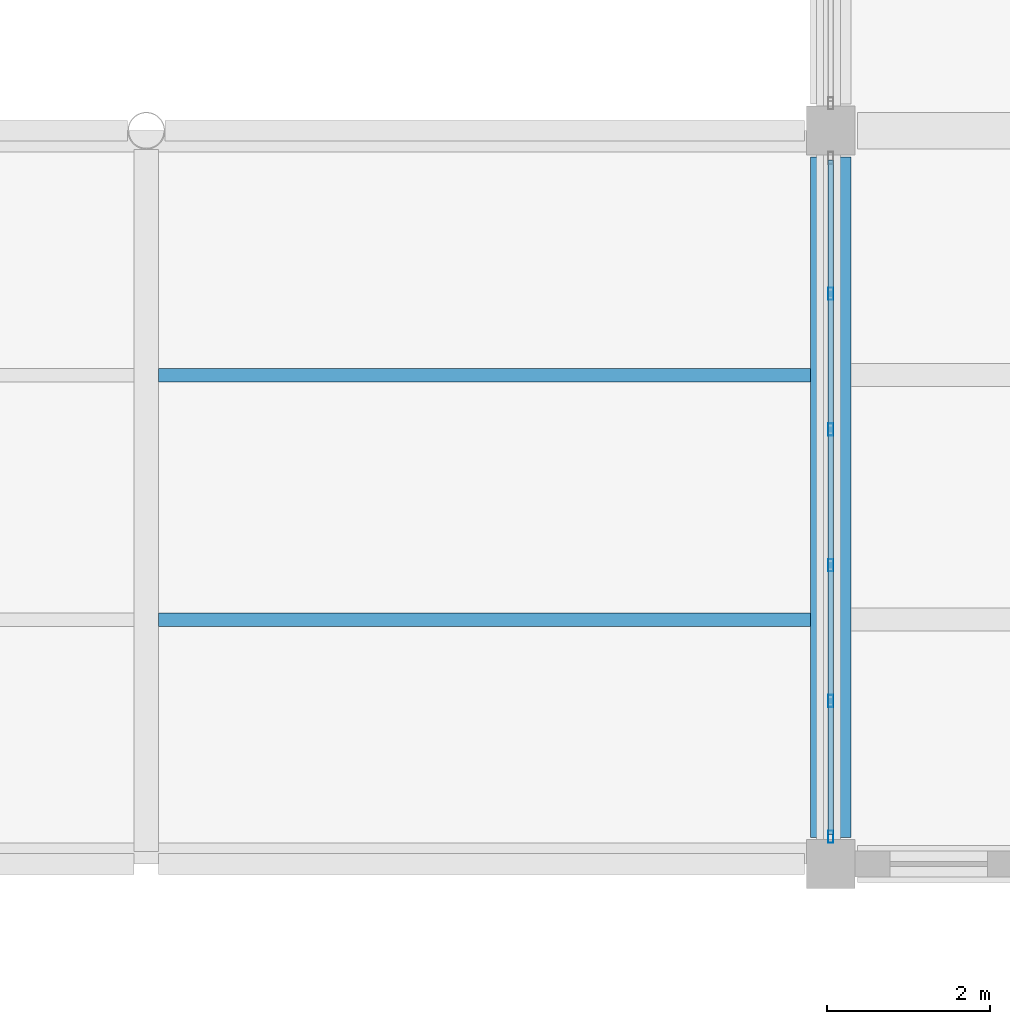
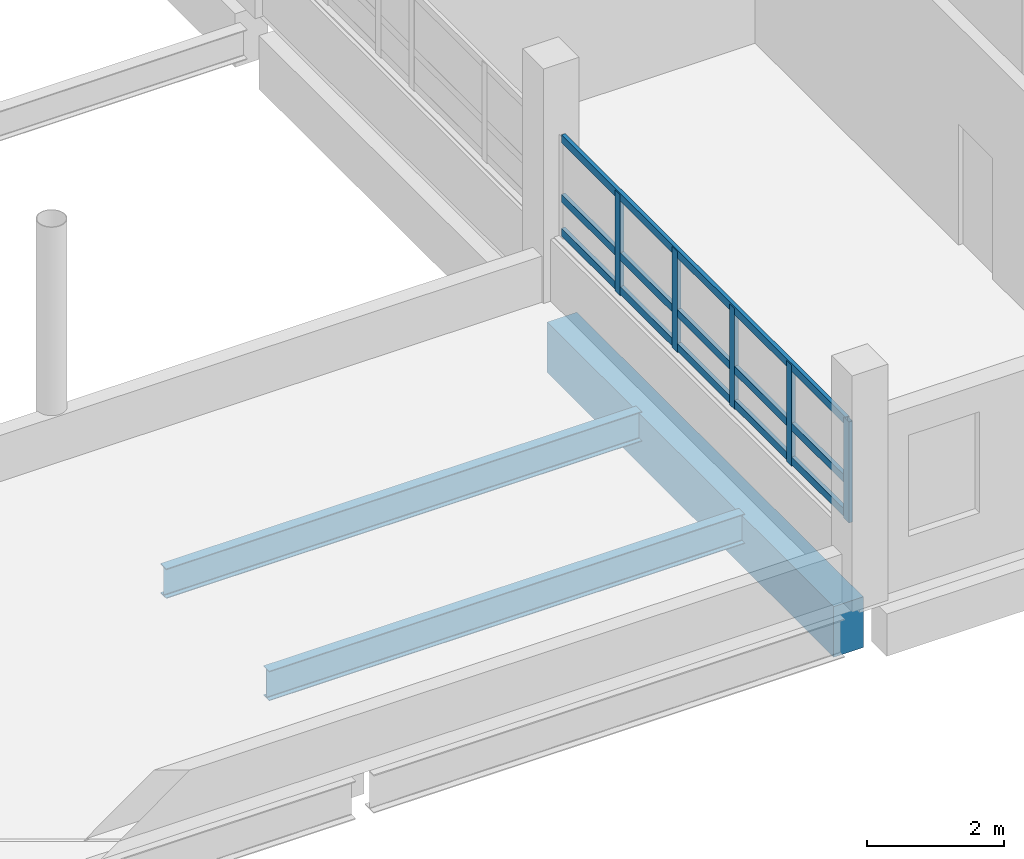
# One storey, part 23 of 130: 8 members, 3 beams, 1 element without a shape of its own.
"""IFC4 building model written with IfcOpenShell, lengths in metres."""

import ifcopenshell
import ifcopenshell.guid

model = None  # the IFC model being written
_history = None  # IfcOwnerHistory: only IFC2X3 demands one
_inside = {}  # id of a spatial element -> (the spatial element, [elements in it])
_under = {}  # id of a project, library or spatial element -> (it, [spatial elements below it])
_declared = {}  # id of a project -> (the project, [libraries it declares])
_typed = {}  # id of a type object -> (the type object, [elements of that type])
_made_of = {}  # id of a material, layer set ... -> (it, [elements and type objects made of it])


def new_model(schema):
    """Start an empty IFC model of exactly this schema.

    Asked for "IFC4X3", IfcOpenShell would pick the latest addendum, in which some entities
    have other attributes; the version numbers below select the first issue.
    IFC2X3 requires an IfcOwnerHistory on every rooted entity: one is made here for all.
    """
    global model, _history
    if schema == "IFC4X3":
        model = ifcopenshell.file(schema_version=(4, 3, 0, 0))
    else:
        model = ifcopenshell.file(schema=schema)
    _inside.clear()
    _under.clear()
    _declared.clear()
    _typed.clear()
    _made_of.clear()
    _history = None
    if model.schema == "IFC2X3":
        org = make("IfcOrganization", Name="unknown")
        user = make(
            "IfcPersonAndOrganization",
            ThePerson=make("IfcPerson", FamilyName="unknown"),
            TheOrganization=org,
        )
        app = make(
            "IfcApplication",
            ApplicationDeveloper=org,
            Version="unknown",
            ApplicationFullName="unknown",
            ApplicationIdentifier="unknown",
        )
        _history = make(
            "IfcOwnerHistory",
            OwningUser=user,
            OwningApplication=app,
            ChangeAction="ADDED",
            CreationDate=0,
        )
    return model


def make(cls, **values):
    """One entity of the class cls with the attributes given. An attribute that is None is left unset."""
    return model.create_entity(
        cls, **{name: value for name, value in values.items() if value is not None}
    )


def rooted(cls, **values):
    """An entity with a GlobalId (a new one), such as an element, a storey or a relation."""
    return make(cls, GlobalId=ifcopenshell.guid.new(), OwnerHistory=_history, **values)


def si_unit(unit_type, name, prefix=None):
    """IfcSIUnit, for example si_unit("LENGTHUNIT", "METRE", prefix="MILLI")."""
    return make("IfcSIUnit", UnitType=unit_type, Prefix=prefix, Name=name)


def assignment(units):
    """IfcUnitAssignment: the units of a project."""
    return None if units is None else make("IfcUnitAssignment", Units=units)


def point(xyz):
    """IfcCartesianPoint."""
    return None if xyz is None else make("IfcCartesianPoint", Coordinates=xyz)


def direction(xyz):
    """IfcDirection."""
    return None if xyz is None else make("IfcDirection", DirectionRatios=xyz)


def frame(location, z_axis=None, x_axis=None):
    """IfcAxis2Placement3D, a coordinate frame: its origin and axes. An axis left out is left unset."""
    return make(
        "IfcAxis2Placement3D",
        Location=point(location),
        Axis=direction(z_axis),
        RefDirection=direction(x_axis),
    )


def frame_2d(location, x_axis=None):
    """IfcAxis2Placement2D, a coordinate frame in the plane: its origin and x axis."""
    return make(
        "IfcAxis2Placement2D", Location=point(location), RefDirection=direction(x_axis)
    )


def origin():
    """The frame at (0, 0, 0) with its axes left unset."""
    return frame((0.0, 0.0, 0.0))


def origin_2d():
    """The frame at (0, 0) in the plane with its x axis left unset."""
    return frame_2d((0.0, 0.0))


def place(relative_to, where):
    """IfcLocalPlacement: puts the frame where relative to a parent placement (None: the world)."""
    return make(
        "IfcLocalPlacement", PlacementRelTo=relative_to, RelativePlacement=where
    )


def context(
    kind, dimensions, precision=None, world=None, true_north=None, identifier=None
):
    """IfcGeometricRepresentationContext, for example the 3D "Model" context."""
    return make(
        "IfcGeometricRepresentationContext",
        ContextIdentifier=identifier,
        ContextType=kind,
        CoordinateSpaceDimension=dimensions,
        Precision=precision,
        WorldCoordinateSystem=world,
        TrueNorth=true_north,
    )


def subcontext(parent, identifier, kind, view, scale=None):
    """IfcGeometricRepresentationSubContext, for example "Body" below "Model"."""
    return make(
        "IfcGeometricRepresentationSubContext",
        ContextIdentifier=identifier,
        ContextType=kind,
        ParentContext=parent,
        TargetScale=scale,
        TargetView=view,
    )


def project(units=None, contexts=None):
    """IfcProject with its units and contexts."""
    return rooted(
        "IfcProject",
        Name="project",
        RepresentationContexts=contexts,
        UnitsInContext=assignment(units),
    )


def spatial(cls, under=None, at=None, **own):
    """A site, building, storey or space (cls), placed at a placement, below another one or the project."""
    s = rooted(cls, ObjectPlacement=at, **own)
    if under is not None:
        _under.setdefault(under.id(), (under, []))[1].append(s)
    return s


def profile(cls, at=None, kind="AREA", **sizes):
    """A parametric profile (cls). Its sizes go by their IFC names, for example OverallWidth=200.0."""
    return make(cls, ProfileType=kind, Position=at, **sizes)


def rectangle(**sizes):
    """IfcRectangleProfileDef."""
    return profile("IfcRectangleProfileDef", **sizes)


def hollow_rectangle(**sizes):
    """IfcRectangleHollowProfileDef."""
    return profile("IfcRectangleHollowProfileDef", **sizes)


def i_section(**sizes):
    """IfcIShapeProfileDef."""
    return profile("IfcIShapeProfileDef", **sizes)


def extrude(swept, where, along, depth):
    """IfcExtrudedAreaSolid: the profile swept, set in the frame where, extruded along a direction by depth."""
    return make(
        "IfcExtrudedAreaSolid",
        SweptArea=swept,
        Position=where,
        ExtrudedDirection=direction(along),
        Depth=depth,
    )


def shape(context_of_items, identifier, shape_type, items):
    """IfcShapeRepresentation: the items that make up one representation, for example the "Body"."""
    return make(
        "IfcShapeRepresentation",
        ContextOfItems=context_of_items,
        RepresentationIdentifier=identifier,
        RepresentationType=shape_type,
        Items=items,
    )


def material(Name=None, Category=None):
    """IfcMaterial."""
    return make("IfcMaterial", Name=Name, Category=Category)


def layer(
    of_material, thickness, ventilated=None, Name=None, Category=None, Priority=None
):
    """IfcMaterialLayer: one layer of a wall or slab, of a material (None: an air gap)."""
    return make(
        "IfcMaterialLayer",
        Material=of_material,
        LayerThickness=thickness,
        IsVentilated=ventilated,
        Name=Name,
        Category=Category,
        Priority=Priority,
    )


def layer_set(layers, Name=None):
    """IfcMaterialLayerSet."""
    return make("IfcMaterialLayerSet", MaterialLayers=layers, LayerSetName=Name)


def material_profile(
    of_material, cross_section, Name=None, Category=None, Priority=None
):
    """IfcMaterialProfile: a cross section and its material."""
    return make(
        "IfcMaterialProfile",
        Name=Name,
        Material=of_material,
        Profile=cross_section,
        Priority=Priority,
        Category=Category,
    )


def profile_set(profiles, Name=None, composite=None):
    """IfcMaterialProfileSet."""
    return make(
        "IfcMaterialProfileSet",
        Name=Name,
        MaterialProfiles=profiles,
        CompositeProfile=composite,
    )


def made_of(thing, what):
    """Note that an element or type object is made of a material, layer set ...; save() writes the relation."""
    if what is not None:
        _made_of.setdefault(what.id(), (what, []))[1].append(thing)
    return thing


def type_object(cls, material=None, **own):
    """A type object (cls), such as IfcWallType, which elements share."""
    return made_of(rooted(cls, **own), material)


def element(
    cls,
    number,
    at=None,
    inside=None,
    cuts=None,
    type_object=None,
    material=None,
    context=None,
    identifier="Body",
    shape_type=None,
    held_by="IfcProductDefinitionShape",
    body=None,
    shapes=None,
    **own,
):
    """One element of the class cls, such as IfcWall. Its Tag is "e" and its number.

    at: its placement. inside: the storey or other place that contains it. cuts: it is an
    opening in that element (IfcRelVoidsElement). A single representation is given by context,
    identifier, shape_type and body (its items); several are given by shapes. held_by: the class
    of the entity that holds the representations. save() writes the other relations.
    """
    e = rooted(cls, Tag="e%d" % number, ObjectPlacement=at, **own)
    if body is not None:
        shapes = [shape(context, identifier, shape_type, body)]
    if shapes is not None:
        e.Representation = make(held_by, Representations=shapes)
    if inside is not None:
        _inside.setdefault(inside.id(), (inside, []))[1].append(e)
    if cuts is not None:
        rooted(
            "IfcRelVoidsElement", RelatingBuildingElement=cuts, RelatedOpeningElement=e
        )
    if type_object is not None:
        _typed.setdefault(type_object.id(), (type_object, []))[1].append(e)
    return made_of(e, material)


def aggregate(whole, parts):
    """IfcRelAggregates: a whole, such as a stair, and the parts it consists of."""
    return rooted("IfcRelAggregates", RelatingObject=whole, RelatedObjects=parts)


def save(model, path):
    """Write the relations noted so far, then the file.

    IfcRelAggregates (storeys below a building ...), IfcRelContainedInSpatialStructure (elements
    in a storey), IfcRelDefinesByType, IfcRelAssociatesMaterial and IfcRelDeclares: one each for
    every whole, place, type object, material and project.
    """
    for whole, parts in _under.values():
        aggregate(whole, parts)
    for where, things in _inside.values():
        rooted(
            "IfcRelContainedInSpatialStructure",
            RelatedElements=things,
            RelatingStructure=where,
        )
    for kind, things in _typed.values():
        rooted("IfcRelDefinesByType", RelatedObjects=things, RelatingType=kind)
    for what, things in _made_of.values():
        rooted("IfcRelAssociatesMaterial", RelatedObjects=things, RelatingMaterial=what)
    for by, libraries in _declared.values():
        rooted("IfcRelDeclares", RelatingContext=by, RelatedDefinitions=libraries)
    model.write(path)


model = new_model("IFC4")

# Units and contexts
model_context = context("Model", 3, precision=1e-05, world=origin(), true_north=direction((0.0, 1.0)))
body_context = subcontext(model_context, "Body", "Model", "MODEL_VIEW")
ifc_project = project(units=[si_unit("LENGTHUNIT", "METRE"), si_unit("AREAUNIT", "SQUARE_METRE"), si_unit("VOLUMEUNIT", "CUBIC_METRE"), si_unit("PLANEANGLEUNIT", "RADIAN"), si_unit("MASSUNIT", "GRAM", prefix="KILO")], contexts=[model_context])

# Site, building, storey
site_placement = place(None, origin())
site = spatial("IfcSite", under=ifc_project, at=site_placement, CompositionType="ELEMENT")
building_placement = place(site_placement, origin())
building = spatial("IfcBuilding", under=site, at=building_placement, Name="Vireocrest Preparatory School", CompositionType="ELEMENT")
storey_placement = place(building_placement, frame((0.0, 0.0, 9.0)))
storey = spatial("IfcBuildingStorey", under=building, at=storey_placement, Name="L02", CompositionType="ELEMENT", Elevation=9.0)

# Curtain wall, members
ifc_material_1 = material(Name="Thermally broken aluminium EN AW-6063-T6", Category="aluminium")
ifc_layer = layer(ifc_material_1, 0.179931640625)
ifc_layer_set = layer_set([ifc_layer], Name="Thermally broken aluminium EN AW-6063-T6")
curtain_wall_type = type_object("IfcCurtainWallType", Name="Court Banded Curtain Wall 8400x3000", PredefinedType="USERDEFINED", material=ifc_layer_set)
curtain_wall_placement = place(storey_placement, origin())
curtain_wall = element("IfcCurtainWall", 1, at=curtain_wall_placement, inside=storey, type_object=curtain_wall_type, Name="Curtain Wall CW02 CW_L02_CW02_0924_0183_102", ObjectType="CURTAIN WALL", PredefinedType="USERDEFINED")
ifc_material_profile_1 = material_profile(ifc_material_1, hollow_rectangle(XDim=0.06494140625, YDim=0.14990234375, WallThickness=0.00390625, at=origin_2d()), Name="ALU 65x150x4")
ifc_profile_set_1 = profile_set([ifc_material_profile_1], Name="Thermally broken aluminium EN AW-6063-T6")
member_type_1 = type_object("IfcMemberType", Name="CW Mullion 65x150x4", PredefinedType="MULLION", material=ifc_profile_set_1)
member_1_placement = place(storey_placement, frame((92.39990234375, 18.3349609375, 1.14990234375), z_axis=(0.0, 0.0, 1.0), x_axis=(1.0, 0.0, 0.0)))
member_1 = element("IfcMember", 2, at=member_1_placement, type_object=member_type_1, Name="CW Mullion ML1 CW_L02_CW02_0924_0183_102-1", PredefinedType="MULLION", context=body_context, shape_type="SweptSolid", body=[
    extrude(hollow_rectangle(XDim=0.06494140625, YDim=0.14990234375, WallThickness=0.00390625, at=origin_2d()), origin(), (0.0, 0.0, 1.0), 1.795166015625),
])
member_2_placement = place(storey_placement, frame((92.39990234375, 20.0009765625, 1.14990234375), z_axis=(0.0, 0.0, 1.0), x_axis=(1.0, 0.0, 0.0)))
member_2 = element("IfcMember", 3, at=member_2_placement, type_object=member_type_1, Name="CW Mullion ML1 CW_L02_CW02_0924_0183_102-2", PredefinedType="MULLION", context=body_context, shape_type="SweptSolid", body=[
    extrude(hollow_rectangle(XDim=0.06494140625, YDim=0.14990234375, WallThickness=0.00390625, at=origin_2d()), origin(), (0.0, 0.0, 1.0), 1.795166015625),
])
member_3_placement = place(storey_placement, frame((92.39990234375, 21.6669921875, 1.14990234375), z_axis=(0.0, 0.0, 1.0), x_axis=(1.0, 0.0, 0.0)))
member_3 = element("IfcMember", 4, at=member_3_placement, type_object=member_type_1, Name="CW Mullion ML1 CW_L02_CW02_0924_0183_102-3", PredefinedType="MULLION", context=body_context, shape_type="SweptSolid", body=[
    extrude(hollow_rectangle(XDim=0.06494140625, YDim=0.14990234375, WallThickness=0.00390625, at=origin_2d()), origin(), (0.0, 0.0, 1.0), 1.795166015625),
])
member_4_placement = place(storey_placement, frame((92.39990234375, 23.3330078125, 1.14990234375), z_axis=(0.0, 0.0, 1.0), x_axis=(1.0, 0.0, 0.0)))
member_4 = element("IfcMember", 5, at=member_4_placement, type_object=member_type_1, Name="CW Mullion ML1 CW_L02_CW02_0924_0183_102-4", PredefinedType="MULLION", context=body_context, shape_type="SweptSolid", body=[
    extrude(hollow_rectangle(XDim=0.06494140625, YDim=0.14990234375, WallThickness=0.00390625, at=origin_2d()), origin(), (0.0, 0.0, 1.0), 1.795166015625),
])
member_5_placement = place(storey_placement, frame((92.39990234375, 24.9990234375, 1.14990234375), z_axis=(0.0, 0.0, 1.0), x_axis=(1.0, 0.0, 0.0)))
member_5 = element("IfcMember", 6, at=member_5_placement, type_object=member_type_1, Name="CW Mullion ML1 CW_L02_CW02_0924_0183_102-5", PredefinedType="MULLION", context=body_context, shape_type="SweptSolid", body=[
    extrude(hollow_rectangle(XDim=0.06494140625, YDim=0.14990234375, WallThickness=0.00390625, at=origin_2d()), origin(), (0.0, 0.0, 1.0), 1.795166015625),
])
ifc_material_profile_2 = material_profile(ifc_material_1, hollow_rectangle(XDim=0.06494140625, YDim=0.139892578125, WallThickness=0.00390625, at=origin_2d()), Name="ALU 65x140x4")
ifc_profile_set_2 = profile_set([ifc_material_profile_2], Name="Thermally broken aluminium EN AW-6063-T6")
member_type_2 = type_object("IfcMemberType", Name="CW Transom 65x140x4", PredefinedType="USERDEFINED", material=ifc_profile_set_2)
member_6_placement = place(storey_placement, frame((92.39990234375, 18.360107421875, 1.2451171875), z_axis=(0.0, 1.0, 0.0), x_axis=(-1.0, 0.0, 0.0)))
member_6 = element("IfcMember", 7, at=member_6_placement, type_object=member_type_2, Name="CW Transom TR1 CW_L02_CW02_0924_0183_102-1", ObjectType="TRANSOM", PredefinedType="USERDEFINED", context=body_context, shape_type="SweptSolid", body=[
    extrude(hollow_rectangle(XDim=0.06494140625, YDim=0.139892578125, WallThickness=0.00390625, at=origin_2d()), origin(), (0.0, 0.0, 1.0), 8.27978515625),
])
member_7_placement = place(storey_placement, frame((92.39990234375, 18.360107421875, 1.85009765625), z_axis=(0.0, 1.0, 0.0), x_axis=(-1.0, 0.0, 0.0)))
member_7 = element("IfcMember", 8, at=member_7_placement, type_object=member_type_2, Name="CW Transom TR1 CW_L02_CW02_0924_0183_102-2", ObjectType="TRANSOM", PredefinedType="USERDEFINED", context=body_context, shape_type="SweptSolid", body=[
    extrude(hollow_rectangle(XDim=0.06494140625, YDim=0.139892578125, WallThickness=0.00390625, at=origin_2d()), origin(), (0.0, 0.0, 1.0), 8.27978515625),
])
member_8_placement = place(storey_placement, frame((92.39990234375, 18.360107421875, 2.905029296875), z_axis=(0.0, 1.0, 0.0), x_axis=(-1.0, 0.0, 0.0)))
member_8 = element("IfcMember", 9, at=member_8_placement, type_object=member_type_2, Name="CW Transom TR1 CW_L02_CW02_0924_0183_102-3", ObjectType="TRANSOM", PredefinedType="USERDEFINED", context=body_context, shape_type="SweptSolid", body=[
    extrude(hollow_rectangle(XDim=0.06494140625, YDim=0.139892578125, WallThickness=0.00390625, at=origin_2d()), origin(), (0.0, 0.0, 1.0), 8.27978515625),
])
aggregate(curtain_wall, [member_1, member_2, member_3, member_4, member_5, member_6, member_7, member_8])

# Beams
ifc_material_2 = material(Name="Structural steel ASTM A992 Grade 50", Category="steel")
ifc_material_profile_3 = material_profile(ifc_material_2, i_section(OverallWidth=0.166015625, OverallDepth=0.529052734375, WebThickness=0.009765625, FlangeThickness=0.013671875, FilletRadius=0.014892578125, at=origin_2d()), Name="W21X50")
ifc_profile_set_3 = profile_set([ifc_material_profile_3], Name="Structural steel ASTM A992 Grade 50")
beam_type_1 = type_object("IfcBeamType", Name="Pavilion Roof Joist W21X50", PredefinedType="JOIST", material=ifc_profile_set_3)
for number, where, z_axis, x_axis, name in (
    (10, (84.14990234375, 21.0, -0.484619140625), (1.0, 0.0, 0.0), (0.0, 1.0, 0.0), "Secondary Joist SJ1 L02-0958"),
    (11, (84.14990234375, 24.0, -0.484619140625), (1.0, 0.0, 0.0), (0.0, 1.0, 0.0), "Secondary Joist SJ1 L02-0959"),
):
    element("IfcBeam", number, at=place(storey_placement, frame(where, z_axis=z_axis, x_axis=x_axis)), inside=storey, type_object=beam_type_1, Name=name, PredefinedType="JOIST", context=body_context, shape_type="SweptSolid", body=[
        extrude(i_section(OverallWidth=0.166015625, OverallDepth=0.529052734375, WebThickness=0.009765625, FlangeThickness=0.013671875, FilletRadius=0.014892578125, at=origin_2d()), origin(), (0.0, 0.0, 1.0), 8.0),
    ])
ifc_material_3 = material(Name="Concrete 40 MPa", Category="concrete")
ifc_material_profile_4 = material_profile(ifc_material_3, rectangle(XDim=0.5, YDim=0.89990234375, at=origin_2d()), Name="RC 500x900")
ifc_profile_set_4 = profile_set([ifc_material_profile_4], Name="Concrete 40 MPa")
beam_type_2 = type_object("IfcBeamType", Name="RC Podium Girder 500x900", PredefinedType="BEAM", material=ifc_profile_set_4)
beam_placement = place(storey_placement, frame((92.39990234375, 18.324951171875, -0.75), z_axis=(0.0, 1.0, 0.0), x_axis=(-1.0, 0.0, 0.0)))
element("IfcBeam", 12, at=beam_placement, inside=storey, type_object=beam_type_2, Name="Primary Girder B15 L02-0836", PredefinedType="BEAM", context=body_context, shape_type="SweptSolid", body=[
    extrude(rectangle(XDim=0.5, YDim=0.89990234375, at=origin_2d()), origin(), (0.0, 0.0, 1.0), 8.35009765625),
])

save(model, "model.ifc")
